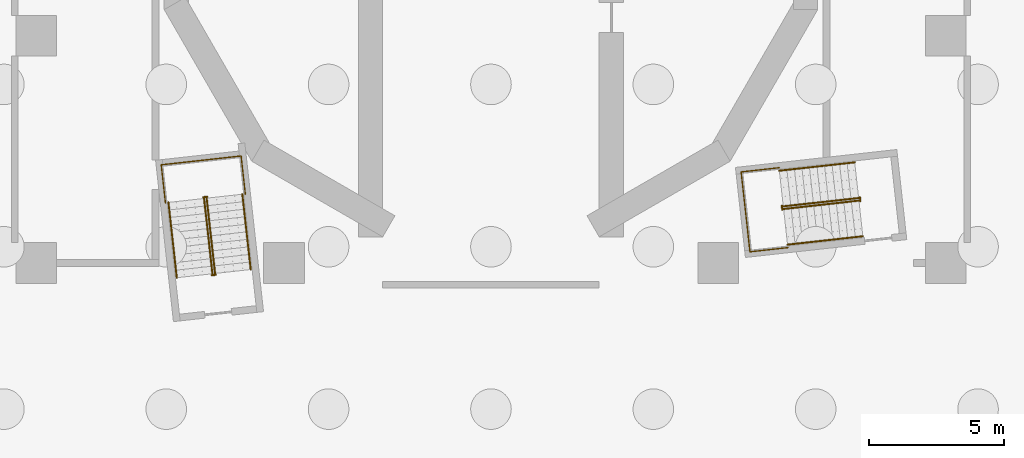
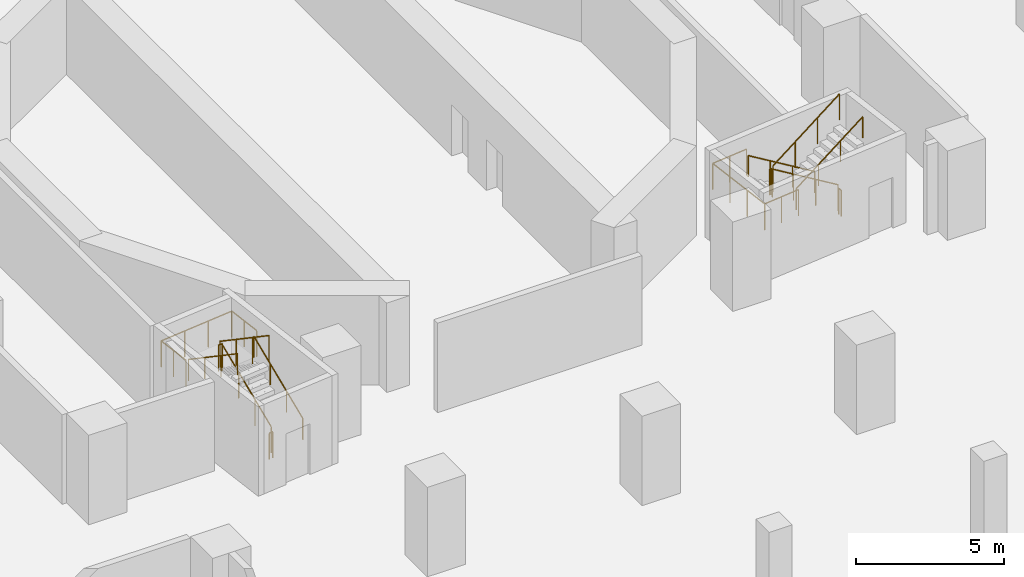
# One storey, part 16 of 20: 12 railings.
"""IFC4 building model written with IfcOpenShell, lengths in metres."""

from ifc_helpers import new_model, si_unit, direction, frame, origin, origin_2d, place, context, subcontext, project, spatial, circle, extrude, material, type_object, element, save


model = new_model("IFC4")

# Units and contexts
model_context = context("Model", 3, precision=1e-05, world=origin(), true_north=direction((0.0, 1.0)))
body_context = subcontext(model_context, "Body", "Model", "MODEL_VIEW")
ifc_project = project(units=[si_unit("LENGTHUNIT", "METRE"), si_unit("AREAUNIT", "SQUARE_METRE"), si_unit("VOLUMEUNIT", "CUBIC_METRE"), si_unit("PLANEANGLEUNIT", "RADIAN"), si_unit("MASSUNIT", "GRAM", prefix="KILO")], contexts=[model_context])

# Site, building, storey
site_placement = place(None, origin())
site = spatial("IfcSite", under=ifc_project, at=site_placement, CompositionType="ELEMENT")
building_placement = place(site_placement, origin())
building = spatial("IfcBuilding", under=site, at=building_placement, Name="Cantera Rosa Tower", CompositionType="ELEMENT")
storey_placement = place(building_placement, frame((0.0, 0.0, -17.0)))
storey = spatial("IfcBuildingStorey", under=building, at=storey_placement, Name="B4", CompositionType="ELEMENT", Elevation=-17.0)

# Railings
ifc_material_1 = material(Name="Steel S355J2 (EN 10025-2)", Category="steel")
railing_type_1 = type_object("IfcRailingType", Name="STAIR GUARD 1100", PredefinedType="GUARDRAIL", material=ifc_material_1)
railing_1_placement = place(storey_placement, frame((-10.19677734375, -12.986083984375, 0.181884765625)))
element("IfcRailing", 1, at=railing_1_placement, inside=storey, type_object=railing_type_1, Name="B4 ST-13 stair guard 1", PredefinedType="GUARDRAIL", context=body_context, shape_type="SweptSolid", body=[
    extrude(circle(Radius=0.02392578125, at=origin_2d()), frame((0.0, 0.0, 1.076171875), z_axis=(-0.09250714026, 0.833588056777, 0.544585512661), x_axis=(-0.993898612038, -0.110297547524, 0.0)), (0.0, 0.0, 1.0), 3.338623046875),
    extrude(circle(Radius=0.02392578125, at=origin_2d()), frame((-0.308837890625, 2.782958984375, 2.89404296875), z_axis=(0.360141847183, 0.932897555956, 0.0), x_axis=(-0.932897555956, 0.360141847183, 0.0)), (0.0, 0.0, 1.0), 0.05615234375),
    extrude(circle(Radius=0.02392578125, at=origin_2d()), frame((-0.28857421875, 2.83544921875, 2.89404296875), z_axis=(-0.993863881828, -0.110610055588, 0.0), x_axis=(0.110610055588, -0.993863881828, 0.0)), (0.0, 0.0, 1.0), 0.150146484375),
    extrude(circle(Radius=0.02099609375, at=origin_2d()), origin(), (0.0, 0.0, 1.0), 1.052001953125),
    extrude(circle(Radius=0.02099609375, at=origin_2d()), frame((-0.10302734375, 0.927734375, 0.60595703125)), (0.0, 0.0, 1.0), 1.052001953125),
    extrude(circle(Radius=0.02099609375, at=origin_2d()), frame((-0.205810546875, 1.855224609375, 1.212158203125)), (0.0, 0.0, 1.0), 1.052001953125),
    extrude(circle(Radius=0.02099609375, at=origin_2d()), frame((-0.308837890625, 2.782958984375, 1.818115234375)), (0.0, 0.0, 1.0), 1.052001953125),
    extrude(circle(Radius=0.02099609375, at=origin_2d()), frame((-0.28857421875, 2.83544921875, 1.818115234375)), (0.0, 0.0, 1.0), 1.052001953125),
    extrude(circle(Radius=0.02099609375, at=origin_2d()), frame((-0.437744140625, 2.81884765625, 1.818115234375)), (0.0, 0.0, 1.0), 1.052001953125),
])
railing_2_placement = place(storey_placement, frame((-10.60302734375, -10.2138671875, 2.181884765625)))
element("IfcRailing", 2, at=railing_2_placement, inside=storey, type_object=railing_type_1, Name="B4 ST-13 stair guard 2", PredefinedType="GUARDRAIL", context=body_context, shape_type="SweptSolid", body=[
    extrude(circle(Radius=0.02392578125, at=origin_2d()), frame((0.0, 0.0, 1.076171875), z_axis=(0.09250714026, -0.833588056777, 0.544585512661), x_axis=(0.993898612038, 0.110297547524, 0.0)), (0.0, 0.0, 1.0), 3.338623046875),
    extrude(circle(Radius=0.02099609375, at=origin_2d()), origin(), (0.0, 0.0, 1.0), 1.052001953125),
    extrude(circle(Radius=0.02099609375, at=origin_2d()), frame((0.10302734375, -0.927734375, 0.60595703125)), (0.0, 0.0, 1.0), 1.052001953125),
    extrude(circle(Radius=0.02099609375, at=origin_2d()), frame((0.205810546875, -1.855224609375, 1.212158203125)), (0.0, 0.0, 1.0), 1.052001953125),
    extrude(circle(Radius=0.02099609375, at=origin_2d()), frame((0.308837890625, -2.782958984375, 1.818115234375)), (0.0, 0.0, 1.0), 1.052001953125),
])
railing_3_placement = place(storey_placement, frame((-10.16552734375, -13.032958984375, 0.0)))
element("IfcRailing", 3, at=railing_3_placement, inside=storey, type_object=railing_type_1, Name="B4 ST-13 stair guard 3", PredefinedType="GUARDRAIL", context=body_context, shape_type="SweptSolid", body=[
    extrude(circle(Radius=0.02392578125, at=origin_2d()), frame((0.0, 0.0, 1.076171875), z_axis=(-0.994041430915, -0.1090029065, 0.0), x_axis=(0.1090029065, -0.994041430915, 0.0)), (0.0, 0.0, 1.0), 0.150146484375),
    extrude(circle(Radius=0.02099609375, at=origin_2d()), origin(), (0.0, 0.0, 1.0), 1.052001953125),
    extrude(circle(Radius=0.02099609375, at=origin_2d()), frame((-0.149169921875, -0.016357421875, 0.0)), (0.0, 0.0, 1.0), 1.052001953125),
])
railing_4_placement = place(storey_placement, frame((-9.0771484375, -10.056640625, 2.0)))
element("IfcRailing", 4, at=railing_4_placement, inside=storey, type_object=railing_type_1, Name="B4 ST-13 stair guard 4", PredefinedType="GUARDRAIL", context=body_context, shape_type="SweptSolid", body=[
    extrude(circle(Radius=0.02392578125, at=origin_2d()), frame((0.0, 0.0, 1.076171875), z_axis=(-0.110393838913, 0.993887921413, 0.0), x_axis=(-0.993887921413, -0.110393838913, 0.0)), (0.0, 0.0, 1.0), 1.422119140625),
    extrude(circle(Radius=0.02392578125, at=origin_2d()), frame((-0.156982421875, 1.413330078125, 1.076171875), z_axis=(-0.993896759678, -0.110314237986, 0.0), x_axis=(0.110314237986, -0.993896759678, 0.0)), (0.0, 0.0, 1.0), 2.969970703125),
    extrude(circle(Radius=0.02392578125, at=origin_2d()), frame((-3.10888671875, 1.085693359375, 1.076171875), z_axis=(0.110393838913, -0.993887921413, 0.0), x_axis=(0.993887921413, 0.110393838913, 0.0)), (0.0, 0.0, 1.0), 1.422119140625),
    extrude(circle(Radius=0.02099609375, at=origin_2d()), origin(), (0.0, 0.0, 1.0), 1.052001953125),
    extrude(circle(Radius=0.02099609375, at=origin_2d()), frame((-0.07861328125, 0.70654296875, 0.0)), (0.0, 0.0, 1.0), 1.052001953125),
    extrude(circle(Radius=0.02099609375, at=origin_2d()), frame((-0.156982421875, 1.413330078125, 0.0)), (0.0, 0.0, 1.0), 1.052001953125),
    extrude(circle(Radius=0.02099609375, at=origin_2d()), frame((-1.140869140625, 1.30419921875, 0.0)), (0.0, 0.0, 1.0), 1.052001953125),
    extrude(circle(Radius=0.02099609375, at=origin_2d()), frame((-2.125, 1.19482421875, 0.0)), (0.0, 0.0, 1.0), 1.052001953125),
    extrude(circle(Radius=0.02099609375, at=origin_2d()), frame((-3.10888671875, 1.085693359375, 0.0)), (0.0, 0.0, 1.0), 1.052001953125),
    extrude(circle(Radius=0.02099609375, at=origin_2d()), frame((-3.0302734375, 0.37890625, 0.0)), (0.0, 0.0, 1.0), 1.052001953125),
    extrude(circle(Radius=0.02099609375, at=origin_2d()), frame((-2.951904296875, -0.32763671875, 0.0)), (0.0, 0.0, 1.0), 1.052001953125),
])
railing_5_placement = place(storey_placement, frame((13.5859375, -10.19677734375, 0.181884765625)))
element("IfcRailing", 5, at=railing_5_placement, inside=storey, type_object=railing_type_1, Name="B4 ST-14 stair guard 1", PredefinedType="GUARDRAIL", context=body_context, shape_type="SweptSolid", body=[
    extrude(circle(Radius=0.02392578125, at=origin_2d()), frame((0.0, 0.0, 1.076171875), z_axis=(-0.833565741067, -0.09251277965, 0.544618711504), x_axis=(0.110307106705, -0.993897551164, 0.0)), (0.0, 0.0, 1.0), 3.33837890625),
    extrude(circle(Radius=0.02392578125, at=origin_2d()), frame((-2.78271484375, -0.308837890625, 2.89404296875), z_axis=(-0.933456941688, 0.358689472963, 0.0), x_axis=(-0.358689472963, -0.933456941688, 0.0)), (0.0, 0.0, 1.0), 0.056396484375),
    extrude(circle(Radius=0.02392578125, at=origin_2d()), frame((-2.83544921875, -0.28857421875, 2.89404296875), z_axis=(0.110610055588, -0.993863881828, 0.0), x_axis=(0.993863881828, 0.110610055588, 0.0)), (0.0, 0.0, 1.0), 0.150146484375),
    extrude(circle(Radius=0.02099609375, at=origin_2d()), origin(), (0.0, 0.0, 1.0), 1.052001953125),
    extrude(circle(Radius=0.02099609375, at=origin_2d()), frame((-0.927490234375, -0.10302734375, 0.60595703125)), (0.0, 0.0, 1.0), 1.052001953125),
    extrude(circle(Radius=0.02099609375, at=origin_2d()), frame((-1.855224609375, -0.205810546875, 1.212158203125)), (0.0, 0.0, 1.0), 1.052001953125),
    extrude(circle(Radius=0.02099609375, at=origin_2d()), frame((-2.78271484375, -0.308837890625, 1.818115234375)), (0.0, 0.0, 1.0), 1.052001953125),
    extrude(circle(Radius=0.02099609375, at=origin_2d()), frame((-2.83544921875, -0.28857421875, 1.818115234375)), (0.0, 0.0, 1.0), 1.052001953125),
    extrude(circle(Radius=0.02099609375, at=origin_2d()), frame((-2.81884765625, -0.437744140625, 1.818115234375)), (0.0, 0.0, 1.0), 1.052001953125),
])
railing_6_placement = place(storey_placement, frame((10.81396484375, -10.60302734375, 2.181884765625)))
element("IfcRailing", 6, at=railing_6_placement, inside=storey, type_object=railing_type_1, Name="B4 ST-14 stair guard 2", PredefinedType="GUARDRAIL", context=body_context, shape_type="SweptSolid", body=[
    extrude(circle(Radius=0.02392578125, at=origin_2d()), frame((0.0, 0.0, 1.076171875), z_axis=(0.833588056777, 0.09250714026, 0.544585512661), x_axis=(-0.110297547524, 0.993898612038, 0.0)), (0.0, 0.0, 1.0), 3.338623046875),
    extrude(circle(Radius=0.02099609375, at=origin_2d()), origin(), (0.0, 0.0, 1.0), 1.052001953125),
    extrude(circle(Radius=0.02099609375, at=origin_2d()), frame((0.927734375, 0.10302734375, 0.60595703125)), (0.0, 0.0, 1.0), 1.052001953125),
    extrude(circle(Radius=0.02099609375, at=origin_2d()), frame((1.855224609375, 0.205810546875, 1.212158203125)), (0.0, 0.0, 1.0), 1.052001953125),
    extrude(circle(Radius=0.02099609375, at=origin_2d()), frame((2.782958984375, 0.308837890625, 1.818115234375)), (0.0, 0.0, 1.0), 1.052001953125),
])
railing_7_placement = place(storey_placement, frame((13.6328125, -10.16552734375, 0.0)))
element("IfcRailing", 7, at=railing_7_placement, inside=storey, type_object=railing_type_1, Name="B4 ST-14 stair guard 3", PredefinedType="GUARDRAIL", context=body_context, shape_type="SweptSolid", body=[
    extrude(circle(Radius=0.02392578125, at=origin_2d()), frame((0.0, 0.0, 1.076171875), z_axis=(0.110610055588, -0.993863881828, 0.0), x_axis=(0.993863881828, 0.110610055588, 0.0)), (0.0, 0.0, 1.0), 0.150146484375),
    extrude(circle(Radius=0.02099609375, at=origin_2d()), origin(), (0.0, 0.0, 1.0), 1.052001953125),
    extrude(circle(Radius=0.02099609375, at=origin_2d()), frame((0.0166015625, -0.149169921875, 0.0)), (0.0, 0.0, 1.0), 1.052001953125),
])
railing_8_placement = place(storey_placement, frame((10.65673828125, -9.0771484375, 2.0)))
element("IfcRailing", 8, at=railing_8_placement, inside=storey, type_object=railing_type_1, Name="B4 ST-14 stair guard 4", PredefinedType="GUARDRAIL", context=body_context, shape_type="SweptSolid", body=[
    extrude(circle(Radius=0.02392578125, at=origin_2d()), frame((0.0, 0.0, 1.076171875), z_axis=(-0.993887921413, -0.110393838913, 0.0), x_axis=(0.110393838913, -0.993887921413, 0.0)), (0.0, 0.0, 1.0), 1.422119140625),
    extrude(circle(Radius=0.02392578125, at=origin_2d()), frame((-1.413330078125, -0.156982421875, 1.076171875), z_axis=(0.110314237986, -0.993896759678, 0.0), x_axis=(0.993896759678, 0.110314237986, 0.0)), (0.0, 0.0, 1.0), 2.969970703125),
    extrude(circle(Radius=0.02392578125, at=origin_2d()), frame((-1.085693359375, -3.10888671875, 1.076171875), z_axis=(0.993887921413, 0.110393838913, 0.0), x_axis=(-0.110393838913, 0.993887921413, 0.0)), (0.0, 0.0, 1.0), 1.422119140625),
    extrude(circle(Radius=0.02099609375, at=origin_2d()), origin(), (0.0, 0.0, 1.0), 1.052001953125),
    extrude(circle(Radius=0.02099609375, at=origin_2d()), frame((-0.70654296875, -0.07861328125, 0.0)), (0.0, 0.0, 1.0), 1.052001953125),
    extrude(circle(Radius=0.02099609375, at=origin_2d()), frame((-1.413330078125, -0.156982421875, 0.0)), (0.0, 0.0, 1.0), 1.052001953125),
    extrude(circle(Radius=0.02099609375, at=origin_2d()), frame((-1.30419921875, -1.140869140625, 0.0)), (0.0, 0.0, 1.0), 1.052001953125),
    extrude(circle(Radius=0.02099609375, at=origin_2d()), frame((-1.19482421875, -2.125, 0.0)), (0.0, 0.0, 1.0), 1.052001953125),
    extrude(circle(Radius=0.02099609375, at=origin_2d()), frame((-1.085693359375, -3.10888671875, 0.0)), (0.0, 0.0, 1.0), 1.052001953125),
    extrude(circle(Radius=0.02099609375, at=origin_2d()), frame((-0.37890625, -3.0302734375, 0.0)), (0.0, 0.0, 1.0), 1.052001953125),
    extrude(circle(Radius=0.02099609375, at=origin_2d()), frame((0.32763671875, -2.951904296875, 0.0)), (0.0, 0.0, 1.0), 1.052001953125),
])
ifc_material_2 = material(Name="Steel S355J2 (EN 10025-2)", Category="steel")
railing_type_2 = type_object("IfcRailingType", Name="STAIR HANDRAIL 900", PredefinedType="HANDRAIL", material=ifc_material_2)
railing_9_placement = place(storey_placement, frame((-8.87890625, -12.83984375, 0.181884765625)))
element("IfcRailing", 9, at=railing_9_placement, inside=storey, type_object=railing_type_2, Name="B4 ST-13 stair handrail 1", PredefinedType="HANDRAIL", context=body_context, shape_type="SweptSolid", body=[
    extrude(circle(Radius=0.02392578125, at=origin_2d()), frame((0.0, 0.0, 0.8759765625), z_axis=(-0.09250714026, 0.833588056777, 0.544585512661), x_axis=(-0.993898612038, -0.110297547524, 0.0)), (0.0, 0.0, 1.0), 3.338623046875),
    extrude(circle(Radius=0.02099609375, at=origin_2d()), origin(), (0.0, 0.0, 1.0), 0.851806640625),
    extrude(circle(Radius=0.02099609375, at=origin_2d()), frame((-0.10302734375, 0.927734375, 0.60595703125)), (0.0, 0.0, 1.0), 0.851806640625),
    extrude(circle(Radius=0.02099609375, at=origin_2d()), frame((-0.205810546875, 1.855224609375, 1.212158203125)), (0.0, 0.0, 1.0), 0.851806640625),
    extrude(circle(Radius=0.02099609375, at=origin_2d()), frame((-0.308837890625, 2.782958984375, 1.818115234375)), (0.0, 0.0, 1.0), 0.851806640625),
])
railing_10_placement = place(storey_placement, frame((-11.921142578125, -10.360107421875, 2.181884765625)))
element("IfcRailing", 10, at=railing_10_placement, inside=storey, type_object=railing_type_2, Name="B4 ST-13 stair handrail 2", PredefinedType="HANDRAIL", context=body_context, shape_type="SweptSolid", body=[
    extrude(circle(Radius=0.02392578125, at=origin_2d()), frame((0.0, 0.0, 0.8759765625), z_axis=(0.092579641899, -0.833582415484, 0.544581827187), x_axis=(0.99388905004, 0.110383677283, 0.0)), (0.0, 0.0, 1.0), 3.338623046875),
    extrude(circle(Radius=0.02099609375, at=origin_2d()), origin(), (0.0, 0.0, 1.0), 0.851806640625),
    extrude(circle(Radius=0.02099609375, at=origin_2d()), frame((0.10302734375, -0.927734375, 0.60595703125)), (0.0, 0.0, 1.0), 0.851806640625),
    extrude(circle(Radius=0.02099609375, at=origin_2d()), frame((0.2060546875, -1.855224609375, 1.212158203125)), (0.0, 0.0, 1.0), 0.851806640625),
    extrude(circle(Radius=0.02099609375, at=origin_2d()), frame((0.30908203125, -2.782958984375, 1.818115234375)), (0.0, 0.0, 1.0), 0.851806640625),
])
railing_11_placement = place(storey_placement, frame((13.439697265625, -8.87890625, 0.181884765625)))
element("IfcRailing", 11, at=railing_11_placement, inside=storey, type_object=railing_type_2, Name="B4 ST-14 stair handrail 1", PredefinedType="HANDRAIL", context=body_context, shape_type="SweptSolid", body=[
    extrude(circle(Radius=0.02392578125, at=origin_2d()), frame((0.0, 0.0, 0.8759765625), z_axis=(-0.833565741067, -0.09251277965, 0.544618711504), x_axis=(0.110307106705, -0.993897551164, 0.0)), (0.0, 0.0, 1.0), 3.33837890625),
    extrude(circle(Radius=0.02099609375, at=origin_2d()), origin(), (0.0, 0.0, 1.0), 0.851806640625),
    extrude(circle(Radius=0.02099609375, at=origin_2d()), frame((-0.927490234375, -0.10302734375, 0.60595703125)), (0.0, 0.0, 1.0), 0.851806640625),
    extrude(circle(Radius=0.02099609375, at=origin_2d()), frame((-1.855224609375, -0.205810546875, 1.212158203125)), (0.0, 0.0, 1.0), 0.851806640625),
    extrude(circle(Radius=0.02099609375, at=origin_2d()), frame((-2.78271484375, -0.308837890625, 1.818115234375)), (0.0, 0.0, 1.0), 0.851806640625),
])
railing_12_placement = place(storey_placement, frame((10.960205078125, -11.921142578125, 2.181884765625)))
element("IfcRailing", 12, at=railing_12_placement, inside=storey, type_object=railing_type_2, Name="B4 ST-14 stair handrail 2", PredefinedType="HANDRAIL", context=body_context, shape_type="SweptSolid", body=[
    extrude(circle(Radius=0.02392578125, at=origin_2d()), frame((0.0, 0.0, 0.8759765625), z_axis=(0.833582415484, 0.092579641899, 0.544581827187), x_axis=(-0.110383677283, 0.99388905004, 0.0)), (0.0, 0.0, 1.0), 3.338623046875),
    extrude(circle(Radius=0.02099609375, at=origin_2d()), origin(), (0.0, 0.0, 1.0), 0.851806640625),
    extrude(circle(Radius=0.02099609375, at=origin_2d()), frame((0.927734375, 0.10302734375, 0.60595703125)), (0.0, 0.0, 1.0), 0.851806640625),
    extrude(circle(Radius=0.02099609375, at=origin_2d()), frame((1.855224609375, 0.2060546875, 1.212158203125)), (0.0, 0.0, 1.0), 0.851806640625),
    extrude(circle(Radius=0.02099609375, at=origin_2d()), frame((2.782958984375, 0.30908203125, 1.818115234375)), (0.0, 0.0, 1.0), 0.851806640625),
])

save(model, "model.ifc")
